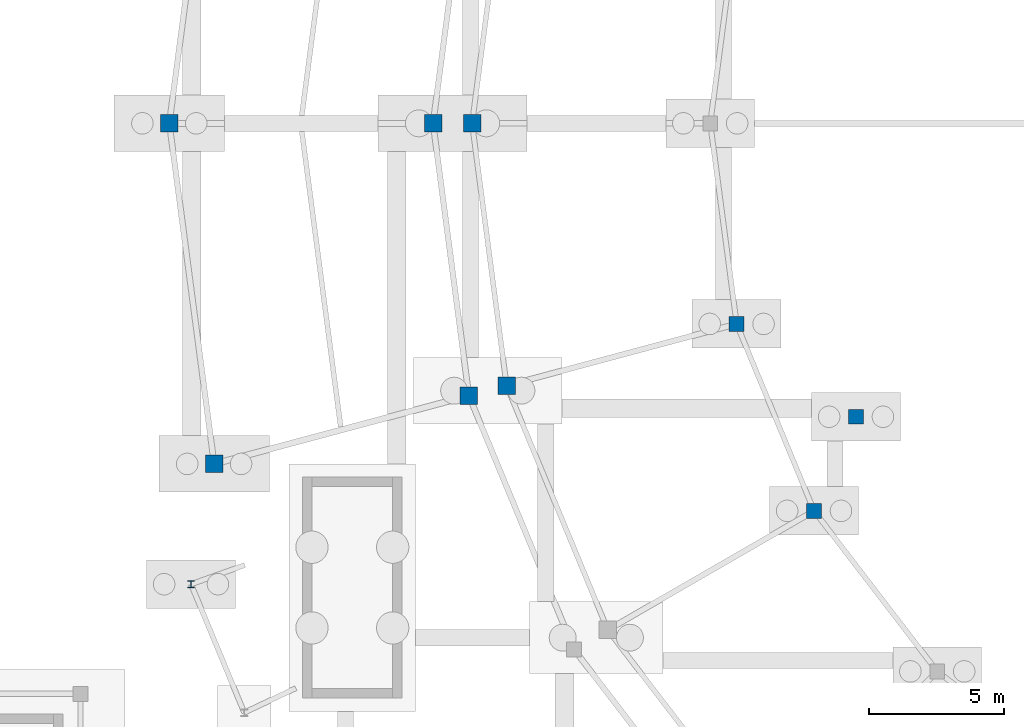
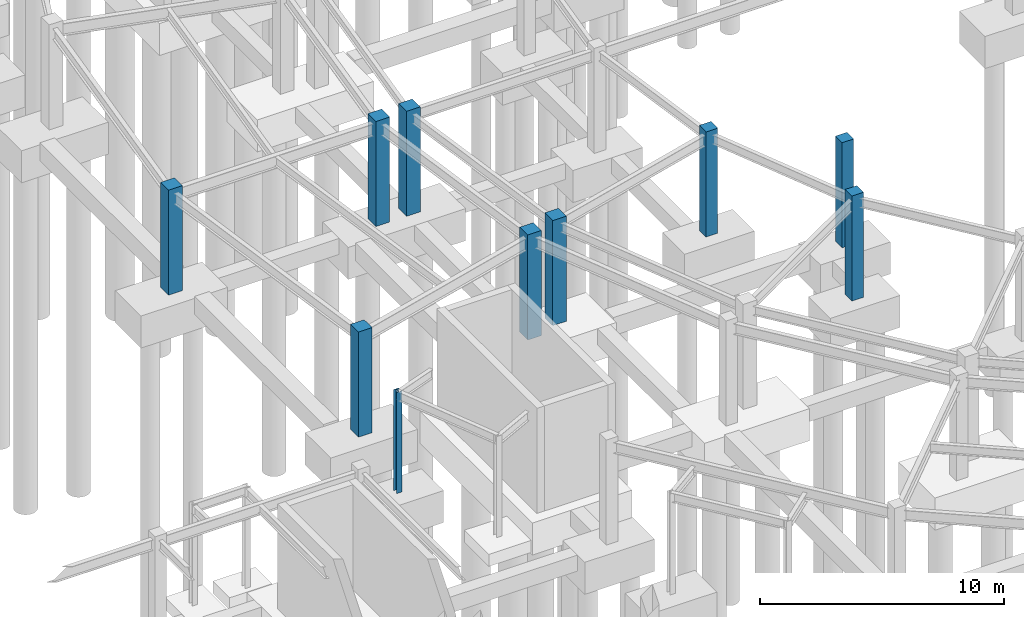
# One storey, part 13 of 55: 10 columns.
"""IFC4 building model written with IfcOpenShell, lengths in metres."""

from ifc_helpers import new_model, si_unit, direction, frame, origin, origin_2d, place, context, subcontext, project, spatial, rectangle, i_section, extrude, material, material_profile, profile_set, type_object, element, save


model = new_model("IFC4")

# Units and contexts
model_context = context("Model", 3, precision=1e-05, world=origin(), true_north=direction((0.0, 1.0)))
body_context = subcontext(model_context, "Body", "Model", "MODEL_VIEW")
ifc_project = project(units=[si_unit("LENGTHUNIT", "METRE"), si_unit("AREAUNIT", "SQUARE_METRE"), si_unit("VOLUMEUNIT", "CUBIC_METRE"), si_unit("PLANEANGLEUNIT", "RADIAN"), si_unit("MASSUNIT", "GRAM", prefix="KILO")], contexts=[model_context])

# Site, building, storey
site_placement = place(None, origin())
site = spatial("IfcSite", under=ifc_project, at=site_placement, CompositionType="ELEMENT")
building_placement = place(site_placement, origin())
building = spatial("IfcBuilding", under=site, at=building_placement, Name="Almandine Court Research Institute", CompositionType="ELEMENT")
storey_placement = place(building_placement, frame((0.0, 0.0, -5.25)))
storey = spatial("IfcBuildingStorey", under=building, at=storey_placement, Name="B1", CompositionType="ELEMENT", Elevation=-5.25)

# Columns
ifc_material_1 = material(Name="Concrete C40/50", Category="concrete")
ifc_material_profile_1 = material_profile(ifc_material_1, rectangle(XDim=0.64990234375, YDim=0.64990234375, at=origin_2d()), Name="RC 650x650")
ifc_profile_set_1 = profile_set([ifc_material_profile_1], Name="Concrete C40/50")
column_type_1 = type_object("IfcColumnType", Name="Col-C-RC2", PredefinedType="COLUMN", material=ifc_profile_set_1)
for number, where, z_axis, x_axis, name in (
    (1, (47.89990234375, 56.0, 0.0), (0.0, 0.0, 1.0), (1.0, 0.0, 0.0), "B1 V5 Column V5-IN-S12"),
    (2, (38.10009765625, 56.0, 0.0), (0.0, 0.0, 1.0), (1.0, 0.0, 0.0), "B1 V5 Column V5-OUT-S12"),
    (3, (49.23193359375, 45.8798828125, 0.0), (0.0, 0.0, 1.0), (1.0, 0.0, 0.0), "B1 V5 Column V5-IN-S13"),
    (4, (39.76611328125, 43.343994140625, 0.0), (0.0, 0.0, 1.0), (1.0, 0.0, 0.0), "B1 V5 Column V5-OUT-S13"),
    (5, (49.35009765625, 56.0, 0.0), (0.0, 0.0, 1.0), (1.0, 0.0, 0.0), "B1 V2 Column V2-OUT-S12"),
    (6, (50.633056640625, 46.2548828125, 0.0), (0.0, 0.0, 1.0), (1.0, 0.0, 0.0), "B1 V2 Column V2-OUT-S13"),
):
    element("IfcColumn", number, at=place(storey_placement, frame(where, z_axis=z_axis, x_axis=x_axis)), inside=storey, type_object=column_type_1, Name=name, PredefinedType="COLUMN", context=body_context, shape_type="SweptSolid", body=[
        extrude(rectangle(XDim=0.64990234375, YDim=0.64990234375, at=origin_2d()), origin(), (0.0, 0.0, 1.0), 5.25),
    ])
ifc_material_profile_2 = material_profile(ifc_material_1, rectangle(XDim=0.550048828125, YDim=0.550048828125, at=origin_2d()), Name="RC 550x550")
ifc_profile_set_2 = profile_set([ifc_material_profile_2], Name="Concrete C40/50")
column_type_2 = type_object("IfcColumnType", Name="Col-C-RC3", PredefinedType="COLUMN", material=ifc_profile_set_2)
for number, where, z_axis, x_axis, name in (
    (7, (59.180908203125, 48.5458984375, 0.0), (0.0, 0.0, 1.0), (1.0, 0.0, 0.0), "B1 V2 Column V2-MID-S13"),
    (8, (62.05810546875, 41.60009765625, 0.0), (0.0, 0.0, 1.0), (1.0, 0.0, 0.0), "B1 V2 Column V2-MID-S14"),
    (9, (63.616943359375, 45.095947265625, 0.0), (0.0, 0.0, 1.0), (1.0, 0.0, 0.0), "B1 V2 Column STAT5"),
):
    element("IfcColumn", number, at=place(storey_placement, frame(where, z_axis=z_axis, x_axis=x_axis)), inside=storey, type_object=column_type_2, Name=name, PredefinedType="COLUMN", context=body_context, shape_type="SweptSolid", body=[
        extrude(rectangle(XDim=0.550048828125, YDim=0.550048828125, at=origin_2d()), origin(), (0.0, 0.0, 1.0), 5.25),
    ])
ifc_material_2 = material(Name="Steel ASTM A992 Grade 50", Category="steel")
ifc_material_profile_3 = material_profile(ifc_material_2, i_section(OverallWidth=0.25390625, OverallDepth=0.2529296875, WebThickness=0.009033203125, FlangeThickness=0.013916015625, at=origin_2d()), Name="W250x73")
ifc_profile_set_3 = profile_set([ifc_material_profile_3], Name="Steel ASTM A992 Grade 50")
column_type_3 = type_object("IfcColumnType", Name="Col-C-W10", PredefinedType="COLUMN", material=ifc_profile_set_3)
column_placement = place(storey_placement, frame((38.907958984375, 38.875, 0.0), z_axis=(0.0, 0.0, 1.0), x_axis=(1.0, 0.0, 0.0)))
element("IfcColumn", 10, at=column_placement, inside=storey, type_object=column_type_3, Name="B1 Exterior Threshold Support Column PAD-DRUM-S13-C1", PredefinedType="COLUMN", context=body_context, shape_type="SweptSolid", body=[
    extrude(i_section(OverallWidth=0.25390625, OverallDepth=0.2529296875, WebThickness=0.009033203125, FlangeThickness=0.013916015625, at=origin_2d()), origin(), (0.0, 0.0, 1.0), 5.050048828125),
])

save(model, "model.ifc")
